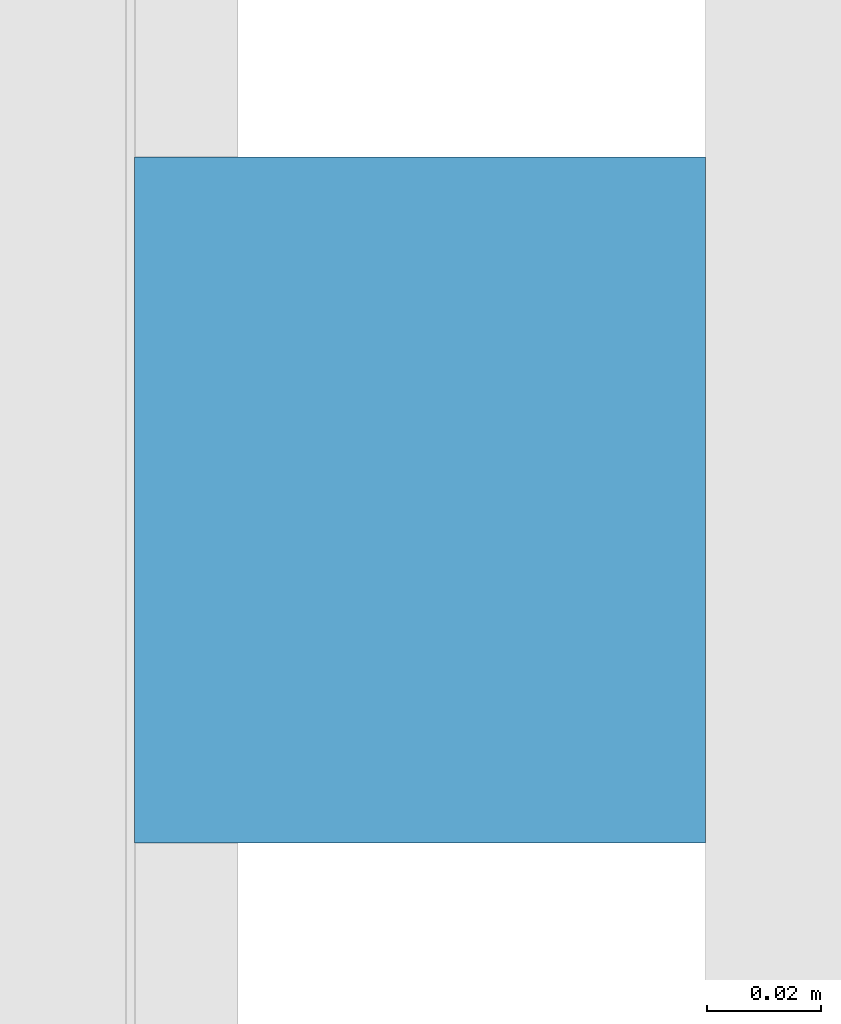
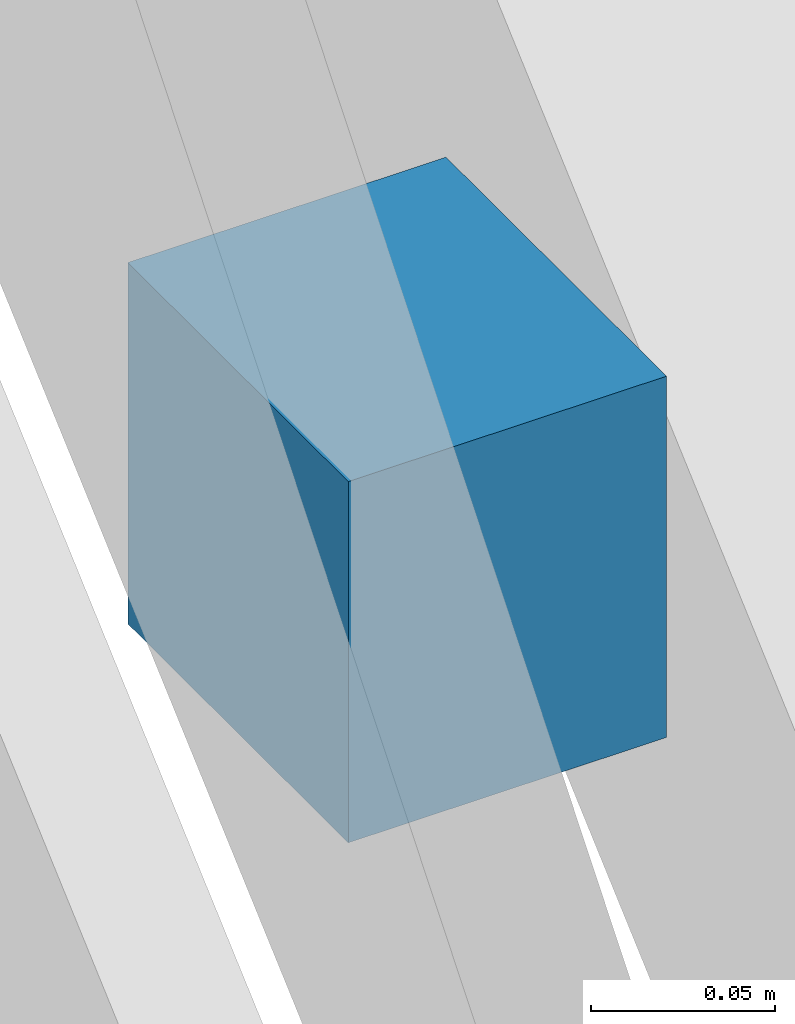
# One storey, part 18 of 20: 1 discrete accessory.
"""IFC4 building model written with IfcOpenShell, lengths in metres."""

from ifc_helpers import new_model, si_unit, direction, frame, origin, origin_2d, place, context, subcontext, project, spatial, rectangle, extrude, material, type_object, element, save


model = new_model("IFC4")

# Units and contexts
model_context = context("Model", 3, precision=1e-05, world=origin(), true_north=direction((0.0, 1.0)))
body_context = subcontext(model_context, "Body", "Model", "MODEL_VIEW")
ifc_project = project(units=[si_unit("LENGTHUNIT", "METRE"), si_unit("AREAUNIT", "SQUARE_METRE"), si_unit("VOLUMEUNIT", "CUBIC_METRE"), si_unit("PLANEANGLEUNIT", "RADIAN"), si_unit("MASSUNIT", "GRAM", prefix="KILO")], contexts=[model_context])

# Site, building, storey
site_placement = place(None, origin())
site = spatial("IfcSite", under=ifc_project, at=site_placement, CompositionType="ELEMENT")
building_placement = place(site_placement, origin())
building = spatial("IfcBuilding", under=site, at=building_placement, Name="Crosswind Convention Tower", CompositionType="ELEMENT")
storey_placement = place(building_placement, frame((0.0, 0.0, 171.5)))
storey = spatial("IfcBuildingStorey", under=building, at=storey_placement, Name="L36", CompositionType="ELEMENT", Elevation=171.5)

# Discrete accessory
ifc_material = material(Name="Stainless steel", Category="steel")
discrete_accessory_type = type_object("IfcDiscreteAccessoryType", Name="BAGUETTE BRACKET BK4", PredefinedType="BRACKET", material=ifc_material)
discrete_accessory_placement = place(storey_placement, frame((161.721923828125, 91.793701171875, 3.25244140625), z_axis=(0.0, 0.0, 1.0), x_axis=(0.0, 1.0, 0.0)))
element("IfcDiscreteAccessory", 1, at=discrete_accessory_placement, inside=storey, type_object=discrete_accessory_type, Name="BK4 baguette bracket", PredefinedType="BRACKET", context=body_context, shape_type="SweptSolid", body=[
    extrude(rectangle(XDim=0.1201171875, YDim=0.10009765625, at=origin_2d()), origin(), (0.0, 0.0, 1.0), 0.1201171875),
])

save(model, "model.ifc")
